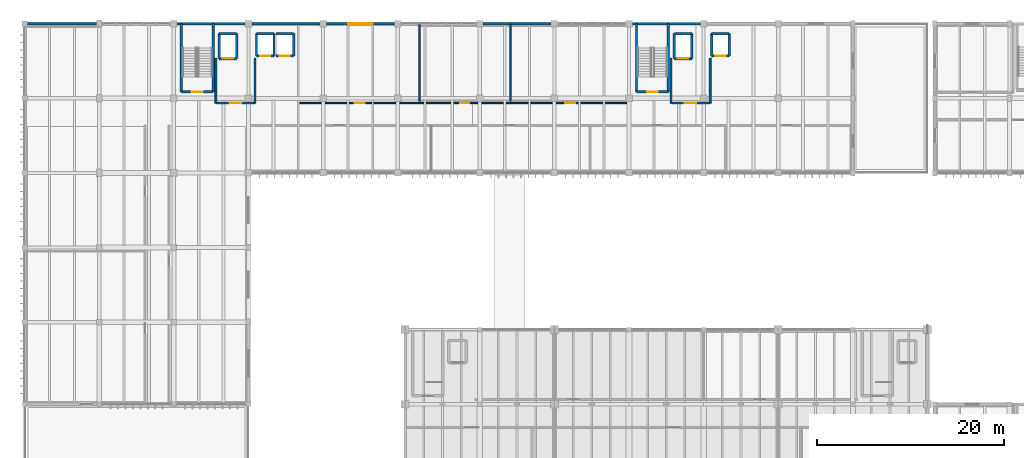
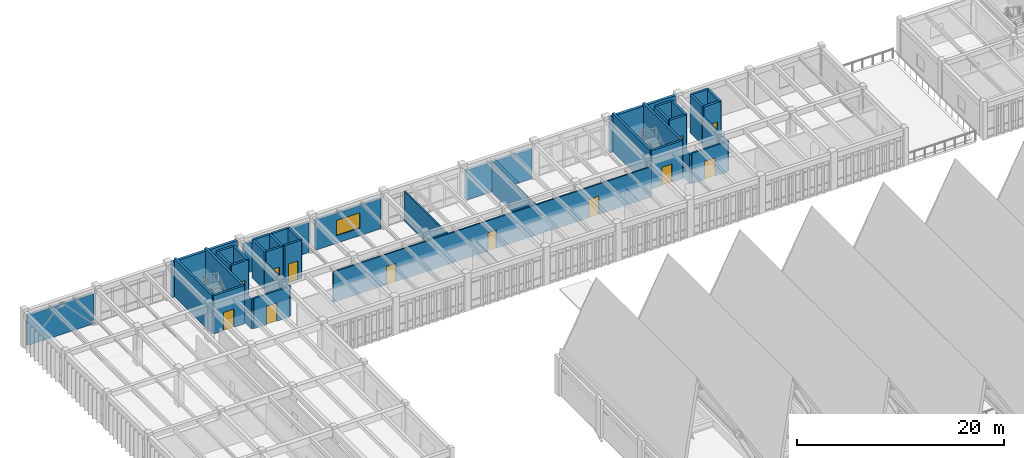
# One storey, part 54 of 72: 40 walls, 12 doors, 1 window, 13 openings.
"""IFC4 building model written with IfcOpenShell, lengths in metres."""

from ifc_helpers import new_model, si_unit, direction, frame, frame_2d, origin, place, context, subcontext, project, spatial, rectangle, extrude, material, layer, layer_set, type_object, element, fill, save


model = new_model("IFC4")

# Units and contexts
model_context = context("Model", 3, precision=1e-05, world=origin(), true_north=direction((0.0, 1.0)))
body_context = subcontext(model_context, "Body", "Model", "MODEL_VIEW")
ifc_project = project(units=[si_unit("LENGTHUNIT", "METRE"), si_unit("AREAUNIT", "SQUARE_METRE"), si_unit("VOLUMEUNIT", "CUBIC_METRE"), si_unit("PLANEANGLEUNIT", "RADIAN"), si_unit("MASSUNIT", "GRAM", prefix="KILO")], contexts=[model_context])

# Site, building, storey
site_placement = place(None, origin())
site = spatial("IfcSite", under=ifc_project, at=site_placement, CompositionType="ELEMENT")
building_placement = place(site_placement, origin())
building = spatial("IfcBuilding", under=site, at=building_placement, Name="Tlaxcora Railside Police Headquarters", CompositionType="ELEMENT")
storey_placement = place(building_placement, frame((0.0, 0.0, 13.5)))
storey = spatial("IfcBuildingStorey", under=building, at=storey_placement, Name="L03", CompositionType="ELEMENT", Elevation=13.5)

# Wall, opening, door
ifc_material_1 = material(Name="Pressed clay brick masonry", Category="masonry")
ifc_layer_1 = layer(ifc_material_1, 0.199951171875, Name="Pressed clay brick masonry")
ifc_layer_set_1 = layer_set([ifc_layer_1], Name="Pressed clay brick masonry")
wall_type_1 = type_object("IfcWallType", Name="Interior Partition Wall IW-60", PredefinedType="PARTITIONING", material=ifc_layer_set_1)
wall_1_placement = place(storey_placement, frame((25.800048828125, 84.300048828125, 0.0), z_axis=(0.0, 0.0, 1.0), x_axis=(1.0, 0.0, 0.0)))
wall_1 = element("IfcWall", 1, at=wall_1_placement, inside=storey, type_object=wall_type_1, Name="V5 L03 interior partition 165", PredefinedType="PARTITIONING", context=body_context, shape_type="SweptSolid", body=[
    extrude(rectangle(XDim=4.0, YDim=0.199951171875, at=frame_2d((2.0, 0.0))), origin(), (0.0, 0.0, 1.0), 3.574951171875),
])
opening_1_placement = place(wall_1_placement, frame((1.39990234375, 0.0, 0.0)))
opening_1 = element("IfcOpeningElement", 2, at=opening_1_placement, cuts=wall_1, Name="Opening D-L03-198", PredefinedType="OPENING", context=body_context, shape_type="SweptSolid", body=[
    extrude(rectangle(XDim=1.199951171875, YDim=2.14990234375, at=frame_2d((0.60009765625, 1.074951171875))), frame((0.0, 0.10986328125, 0.0), z_axis=(0.0, -1.0, 0.0), x_axis=(1.0, 0.0, 0.0)), (0.0, 0.0, 1.0), 0.219970703125),
])
ifc_material_2 = material(Name="Steel ASTM A992 Grade 50", Category="steel")
door_type_1 = type_object("IfcDoorType", Name="Swing or Sliding Personnel Door ID-14", OperationType="NOTDEFINED", PredefinedType="DOOR", material=ifc_material_2)
door_1_placement = place(opening_1_placement, origin())
door_1 = element("IfcDoor", 3, at=door_1_placement, inside=storey, type_object=door_type_1, Name="V5 L03 door D-L03-198", OperationType="DOUBLE_DOOR_SINGLE_SWING", OverallHeight=2.14990234375, OverallWidth=1.199951171875, PredefinedType="DOOR", context=body_context, shape_type="SweptSolid", body=[
    extrude(rectangle(XDim=1.199951171875, YDim=2.14990234375, at=frame_2d((0.60009765625, 1.074951171875))), frame((0.0, 0.02490234375, 0.0), z_axis=(0.0, -1.0, 0.0), x_axis=(1.0, 0.0, 0.0)), (0.0, 0.0, 1.0), 0.050048828125),
])
fill(opening_1, door_1)

# Walls
wall_2_placement = place(storey_placement, frame((25.699951171875, 84.300048828125, 0.0), z_axis=(0.0, 0.0, 1.0), x_axis=(0.0, 1.0, 0.0)))
element("IfcWall", 4, at=wall_2_placement, inside=storey, type_object=wall_type_1, Name="V5 L03 interior partition 166", PredefinedType="PARTITIONING", context=body_context, shape_type="SweptSolid", body=[
    extrude(rectangle(XDim=4.800048828125, YDim=0.199951171875, at=frame_2d((2.39990234375, 0.0))), origin(), (0.0, 0.0, 1.0), 3.425048828125),
])
wall_3_placement = place(storey_placement, frame((29.89990234375, 84.300048828125, 0.0), z_axis=(0.0, 0.0, 1.0), x_axis=(0.0, 1.0, 0.0)))
element("IfcWall", 5, at=wall_3_placement, inside=storey, type_object=wall_type_1, Name="V5 L03 interior partition 167", PredefinedType="PARTITIONING", context=body_context, shape_type="SweptSolid", body=[
    extrude(rectangle(XDim=4.800048828125, YDim=0.199951171875, at=frame_2d((2.39990234375, 0.0))), origin(), (0.0, 0.0, 1.0), 3.47509765625),
])

# Wall, opening, door
wall_4_placement = place(storey_placement, frame((74.60009765625, 84.300048828125, 0.0), z_axis=(0.0, 0.0, 1.0), x_axis=(1.0, 0.0, 0.0)))
wall_4 = element("IfcWall", 6, at=wall_4_placement, inside=storey, type_object=wall_type_1, Name="V5 L03 interior partition 168", PredefinedType="PARTITIONING", context=body_context, shape_type="SweptSolid", body=[
    extrude(rectangle(XDim=4.0, YDim=0.199951171875, at=frame_2d((2.0, 0.0))), origin(), (0.0, 0.0, 1.0), 3.574951171875),
])
opening_2_placement = place(wall_4_placement, frame((1.39990234375, 0.0, 0.0)))
opening_2 = element("IfcOpeningElement", 7, at=opening_2_placement, cuts=wall_4, Name="Opening D-L03-199", PredefinedType="OPENING", context=body_context, shape_type="SweptSolid", body=[
    extrude(rectangle(XDim=1.199951171875, YDim=2.14990234375, at=frame_2d((0.60009765625, 1.074951171875))), frame((0.0, 0.10986328125, 0.0), z_axis=(0.0, -1.0, 0.0), x_axis=(1.0, 0.0, 0.0)), (0.0, 0.0, 1.0), 0.219970703125),
])
door_2_placement = place(opening_2_placement, origin())
door_2 = element("IfcDoor", 8, at=door_2_placement, inside=storey, type_object=door_type_1, Name="V5 L03 door D-L03-199", OperationType="DOUBLE_DOOR_SINGLE_SWING", OverallHeight=2.14990234375, OverallWidth=1.199951171875, PredefinedType="DOOR", context=body_context, shape_type="SweptSolid", body=[
    extrude(rectangle(XDim=1.199951171875, YDim=2.14990234375, at=frame_2d((0.60009765625, 1.074951171875))), frame((0.0, 0.02490234375, 0.0), z_axis=(0.0, -1.0, 0.0), x_axis=(1.0, 0.0, 0.0)), (0.0, 0.0, 1.0), 0.050048828125),
])
fill(opening_2, door_2)

# Walls
wall_5_placement = place(storey_placement, frame((74.5, 84.300048828125, 0.0), z_axis=(0.0, 0.0, 1.0), x_axis=(0.0, 1.0, 0.0)))
element("IfcWall", 9, at=wall_5_placement, inside=storey, type_object=wall_type_1, Name="V5 L03 interior partition 169", PredefinedType="PARTITIONING", context=body_context, shape_type="SweptSolid", body=[
    extrude(rectangle(XDim=4.800048828125, YDim=0.199951171875, at=frame_2d((2.39990234375, 0.0))), origin(), (0.0, 0.0, 1.0), 3.425048828125),
])
wall_6_placement = place(storey_placement, frame((78.699951171875, 84.300048828125, 0.0), z_axis=(0.0, 0.0, 1.0), x_axis=(0.0, 1.0, 0.0)))
element("IfcWall", 10, at=wall_6_placement, inside=storey, type_object=wall_type_1, Name="V5 L03 interior partition 170", PredefinedType="PARTITIONING", context=body_context, shape_type="SweptSolid", body=[
    extrude(rectangle(XDim=4.800048828125, YDim=0.199951171875, at=frame_2d((2.39990234375, 0.0))), origin(), (0.0, 0.0, 1.0), 3.47509765625),
])
ifc_material_3 = material(Name="Gypsum acoustic partition board")
ifc_layer_2 = layer(ifc_material_3, 0.159912109375, Name="Gypsum acoustic partition board")
ifc_layer_set_2 = layer_set([ifc_layer_2], Name="Gypsum acoustic partition board")
wall_type_2 = type_object("IfcWallType", Name="Interior Partition Wall IW-73", PredefinedType="PARTITIONING", material=ifc_layer_set_2)
for number, where, z_axis, x_axis, name in (
    (11, (47.510986328125, 84.5, 0.0), (0.0, 0.0, 1.0), (0.0, 1.0, 0.0), "V5 L03 interior partition 193"),
    (12, (57.2890625, 84.5, 0.0), (0.0, 0.0, 1.0), (0.0, 1.0, 0.0), "V5 L03 interior partition 194"),
):
    element("IfcWall", number, at=place(storey_placement, frame(where, z_axis=z_axis, x_axis=x_axis)), inside=storey, type_object=wall_type_2, Name=name, PredefinedType="PARTITIONING", context=body_context, shape_type="SweptSolid", body=[
        extrude(rectangle(XDim=8.219970703125, YDim=0.159912109375, at=frame_2d((4.10986328125, 0.0))), origin(), (0.0, 0.0, 1.0), 3.52490234375),
    ])

# Wall, openings, doors
wall_7_placement = place(storey_placement, frame((34.699951171875, 84.300048828125, 0.0), z_axis=(0.0, 0.0, 1.0), x_axis=(1.0, 0.0, 0.0)))
wall_7 = element("IfcWall", 13, at=wall_7_placement, inside=storey, type_object=wall_type_2, Name="V5 L03 interior partition 195", PredefinedType="PARTITIONING", context=body_context, shape_type="SweptSolid", body=[
    extrude(rectangle(XDim=35.400146484375, YDim=0.159912109375, at=frame_2d((17.7001953125, 0.0))), origin(), (0.0, 0.0, 1.0), 3.574951171875),
])
opening_3_placement = place(wall_7_placement, frame((5.919921875, 0.0, 0.0)))
opening_3 = element("IfcOpeningElement", 14, at=opening_3_placement, cuts=wall_7, Name="Opening D-L03-222", PredefinedType="OPENING", context=body_context, shape_type="SweptSolid", body=[
    extrude(rectangle(XDim=1.02001953125, YDim=2.1201171875, at=frame_2d((0.510009765625, 1.06005859375))), frame((0.0, 0.08984375, 0.0), z_axis=(0.0, -1.0, 0.0), x_axis=(1.0, 0.0, 0.0)), (0.0, 0.0, 1.0), 0.179931640625),
])
opening_4_placement = place(wall_7_placement, frame((17.199951171875, 0.0, 0.0)))
opening_4 = element("IfcOpeningElement", 15, at=opening_4_placement, cuts=wall_7, Name="Opening D-L03-223", PredefinedType="OPENING", context=body_context, shape_type="SweptSolid", body=[
    extrude(rectangle(XDim=0.949951171875, YDim=2.14990234375, at=frame_2d((0.47509765625, 1.074951171875))), frame((0.0, 0.08984375, 0.0), z_axis=(0.0, -1.0, 0.0), x_axis=(1.0, 0.0, 0.0)), (0.0, 0.0, 1.0), 0.179931640625),
])
opening_5_placement = place(wall_7_placement, frame((28.47998046875, 0.0, 0.0)))
opening_5 = element("IfcOpeningElement", 16, at=opening_5_placement, cuts=wall_7, Name="Opening D-L03-224", PredefinedType="OPENING", context=body_context, shape_type="SweptSolid", body=[
    extrude(rectangle(XDim=1.080078125, YDim=2.139892578125, at=frame_2d((0.5400390625, 1.06982421875))), frame((0.0, 0.08984375, 0.0), z_axis=(0.0, -1.0, 0.0), x_axis=(1.0, 0.0, 0.0)), (0.0, 0.0, 1.0), 0.179931640625),
])
door_type_2 = type_object("IfcDoorType", Name="Swing or Sliding Personnel Door ID-20", OperationType="NOTDEFINED", PredefinedType="DOOR", material=ifc_material_2)
door_3_placement = place(opening_5_placement, origin())
door_3 = element("IfcDoor", 17, at=door_3_placement, inside=storey, type_object=door_type_2, Name="V5 L03 door D-L03-224", OperationType="SINGLE_SWING_RIGHT", OverallHeight=2.139892578125, OverallWidth=1.080078125, PredefinedType="DOOR", context=body_context, shape_type="SweptSolid", body=[
    extrude(rectangle(XDim=1.080078125, YDim=2.139892578125, at=frame_2d((0.5400390625, 1.06982421875))), frame((0.0, 0.02490234375, 0.0), z_axis=(0.0, -1.0, 0.0), x_axis=(1.0, 0.0, 0.0)), (0.0, 0.0, 1.0), 0.050048828125),
])
fill(opening_5, door_3)
door_type_3 = type_object("IfcDoorType", Name="Swing or Sliding Personnel Door ID-31", OperationType="NOTDEFINED", PredefinedType="DOOR", material=ifc_material_2)
door_4_placement = place(opening_4_placement, origin())
door_4 = element("IfcDoor", 18, at=door_4_placement, inside=storey, type_object=door_type_3, Name="V5 L03 door D-L03-223", OperationType="SINGLE_SWING_LEFT", OverallHeight=2.14990234375, OverallWidth=0.949951171875, PredefinedType="DOOR", context=body_context, shape_type="SweptSolid", body=[
    extrude(rectangle(XDim=0.949951171875, YDim=2.14990234375, at=frame_2d((0.47509765625, 1.074951171875))), frame((0.0, 0.02490234375, 0.0), z_axis=(0.0, -1.0, 0.0), x_axis=(1.0, 0.0, 0.0)), (0.0, 0.0, 1.0), 0.050048828125),
])
fill(opening_4, door_4)
door_type_4 = type_object("IfcDoorType", Name="Swing or Sliding Personnel Door ID-48", OperationType="NOTDEFINED", PredefinedType="DOOR", material=ifc_material_2)
door_5_placement = place(opening_3_placement, origin())
door_5 = element("IfcDoor", 19, at=door_5_placement, inside=storey, type_object=door_type_4, Name="V5 L03 door D-L03-222", OperationType="SINGLE_SWING_RIGHT", OverallHeight=2.1201171875, OverallWidth=1.02001953125, PredefinedType="DOOR", context=body_context, shape_type="SweptSolid", body=[
    extrude(rectangle(XDim=1.02001953125, YDim=2.1201171875, at=frame_2d((0.510009765625, 1.06005859375))), frame((0.0, 0.02490234375, 0.0), z_axis=(0.0, -1.0, 0.0), x_axis=(1.0, 0.0, 0.0)), (0.0, 0.0, 1.0), 0.050048828125),
])
fill(opening_3, door_5)

# Wall, opening, door
ifc_material_4 = material(Name="Concrete C40/50", Category="concrete")
ifc_layer_3 = layer(ifc_material_4, 0.25, Name="Concrete C40/50")
ifc_layer_set_3 = layer_set([ifc_layer_3], Name="Concrete C40/50")
wall_type_3 = type_object("IfcWallType", Name="Shear Core Wall IW-13", PredefinedType="SHEAR", material=ifc_layer_set_3)
wall_8_placement = place(storey_placement, frame((22.0, 85.5, 0.0), z_axis=(0.0, 0.0, 1.0), x_axis=(1.0, 0.0, 0.0)))
wall_8 = element("IfcWall", 20, at=wall_8_placement, inside=storey, type_object=wall_type_3, Name="CORE-C1 L03 stair core wall S", PredefinedType="SHEAR", context=body_context, shape_type="SweptSolid", body=[
    extrude(rectangle(XDim=3.419921875, YDim=0.25, at=frame_2d((1.7099609375, 0.0))), origin(), (0.0, 0.0, 1.0), 4.5),
])
opening_6_placement = place(wall_8_placement, frame((1.135009765625, 0.0, 0.0)))
opening_6 = element("IfcOpeningElement", 21, at=opening_6_placement, cuts=wall_8, Name="Opening SD-L03-005", PredefinedType="OPENING", context=body_context, shape_type="SweptSolid", body=[
    extrude(rectangle(XDim=1.14990234375, YDim=2.14990234375, at=frame_2d((0.574951171875, 1.074951171875))), frame((0.0, 0.135009765625, 0.0), z_axis=(0.0, -1.0, 0.0), x_axis=(1.0, 0.0, 0.0)), (0.0, 0.0, 1.0), 0.27001953125),
])
door_type_5 = type_object("IfcDoorType", Name="Swing or Sliding Personnel Door ID-73", OperationType="NOTDEFINED", PredefinedType="DOOR", material=ifc_material_2)
door_6_placement = place(opening_6_placement, origin())
door_6 = element("IfcDoor", 22, at=door_6_placement, inside=storey, type_object=door_type_5, Name="Stair ST1 L03 enclosure fire door", OperationType="SINGLE_SWING_LEFT", OverallHeight=2.14990234375, OverallWidth=1.14990234375, PredefinedType="DOOR", context=body_context, shape_type="SweptSolid", body=[
    extrude(rectangle(XDim=1.14990234375, YDim=2.14990234375, at=frame_2d((0.574951171875, 1.074951171875))), frame((0.0, 0.02490234375, 0.0), z_axis=(0.0, -1.0, 0.0), x_axis=(1.0, 0.0, 0.0)), (0.0, 0.0, 1.0), 0.050048828125),
])
fill(opening_6, door_6)

# Walls
for number, where, z_axis, x_axis, name in (
    (23, (25.419921875, 85.5, 0.0), (0.0, 0.0, 1.0), (0.0, 1.0, 0.0), "CORE-C1 L03 stair core wall E"),
    (24, (22.0, 92.800048828125, 0.0), (0.0, 0.0, 1.0), (0.0, -1.0, 0.0), "CORE-C1 L03 stair core wall W"),
):
    element("IfcWall", number, at=place(storey_placement, frame(where, z_axis=z_axis, x_axis=x_axis)), inside=storey, type_object=wall_type_3, Name=name, PredefinedType="SHEAR", context=body_context, shape_type="SweptSolid", body=[
        extrude(rectangle(XDim=7.300048828125, YDim=0.25, at=frame_2d((3.64990234375, 0.0))), origin(), (0.0, 0.0, 1.0), 4.5),
    ])

# Wall, opening, door
wall_9_placement = place(storey_placement, frame((26.06005859375, 89.06005859375, 0.0), z_axis=(0.0, 0.0, 1.0), x_axis=(1.0, 0.0, 0.0)))
wall_9 = element("IfcWall", 25, at=wall_9_placement, inside=storey, type_object=wall_type_3, Name="Lift FFL-01 L03 shaft wall S", PredefinedType="SHEAR", context=body_context, shape_type="SweptSolid", body=[
    extrude(rectangle(XDim=1.8798828125, YDim=0.25, at=frame_2d((0.93994140625, 0.0))), origin(), (0.0, 0.0, 1.0), 4.5),
])
opening_7_placement = place(wall_9_placement, frame((0.389892578125, 0.0, 0.0)))
opening_7 = element("IfcOpeningElement", 26, at=opening_7_placement, cuts=wall_9, Name="Opening LD-FFL-01-L03", PredefinedType="OPENING", context=body_context, shape_type="SweptSolid", body=[
    extrude(rectangle(XDim=1.10009765625, YDim=2.199951171875, at=frame_2d((0.550048828125, 1.10009765625))), frame((0.0, 0.135009765625, 0.0), z_axis=(0.0, -1.0, 0.0), x_axis=(1.0, 0.0, 0.0)), (0.0, 0.0, 1.0), 0.27001953125),
])
door_type_6 = type_object("IfcDoorType", Name="Swing or Sliding Personnel Door ID-15", OperationType="NOTDEFINED", PredefinedType="DOOR", material=ifc_material_2)
door_7_placement = place(opening_7_placement, origin())
door_7 = element("IfcDoor", 27, at=door_7_placement, inside=storey, type_object=door_type_6, Name="Lift FFL-01 L03 sliding landing door", OperationType="DOUBLE_DOOR_SLIDING", OverallHeight=2.199951171875, OverallWidth=1.10009765625, PredefinedType="DOOR", context=body_context, shape_type="SweptSolid", body=[
    extrude(rectangle(XDim=1.10009765625, YDim=2.199951171875, at=frame_2d((0.550048828125, 1.10009765625))), frame((0.0, 0.02490234375, 0.0), z_axis=(0.0, -1.0, 0.0), x_axis=(1.0, 0.0, 0.0)), (0.0, 0.0, 1.0), 0.050048828125),
])
fill(opening_7, door_7)

# Walls
wall_10_placement = place(storey_placement, frame((27.93994140625, 89.06005859375, 0.0), z_axis=(0.0, 0.0, 1.0), x_axis=(0.0, 1.0, 0.0)))
element("IfcWall", 28, at=wall_10_placement, inside=storey, type_object=wall_type_3, Name="Lift FFL-01 L03 shaft wall E", PredefinedType="SHEAR", context=body_context, shape_type="SweptSolid", body=[
    extrude(rectangle(XDim=2.679931640625, YDim=0.25, at=frame_2d((1.33984375, 0.0))), origin(), (0.0, 0.0, 1.0), 4.5),
])
wall_11_placement = place(storey_placement, frame((27.93994140625, 91.739990234375, 0.0), z_axis=(0.0, 0.0, 1.0), x_axis=(-1.0, 0.0, 0.0)))
element("IfcWall", 29, at=wall_11_placement, inside=storey, type_object=wall_type_3, Name="Lift FFL-01 L03 shaft wall N", PredefinedType="SHEAR", context=body_context, shape_type="SweptSolid", body=[
    extrude(rectangle(XDim=1.8798828125, YDim=0.25, at=frame_2d((0.93994140625, 0.0))), origin(), (0.0, 0.0, 1.0), 4.5),
])
wall_12_placement = place(storey_placement, frame((26.06005859375, 91.739990234375, 0.0), z_axis=(0.0, 0.0, 1.0), x_axis=(0.0, -1.0, 0.0)))
element("IfcWall", 30, at=wall_12_placement, inside=storey, type_object=wall_type_3, Name="Lift FFL-01 L03 shaft wall W", PredefinedType="SHEAR", context=body_context, shape_type="SweptSolid", body=[
    extrude(rectangle(XDim=2.679931640625, YDim=0.25, at=frame_2d((1.33984375, 0.0))), origin(), (0.0, 0.0, 1.0), 4.5),
])

# Wall, opening, door
wall_13_placement = place(storey_placement, frame((30.06005859375, 89.360107421875, 0.0), z_axis=(0.0, 0.0, 1.0), x_axis=(1.0, 0.0, 0.0)))
wall_13 = element("IfcWall", 31, at=wall_13_placement, inside=storey, type_object=wall_type_3, Name="Lift PL-01 L03 shaft wall S", PredefinedType="SHEAR", context=body_context, shape_type="SweptSolid", body=[
    extrude(rectangle(XDim=1.8798828125, YDim=0.25, at=frame_2d((0.93994140625, 0.0))), origin(), (0.0, 0.0, 1.0), 4.5),
])
opening_8_placement = place(wall_13_placement, frame((0.389892578125, 0.0, 0.0)))
opening_8 = element("IfcOpeningElement", 32, at=opening_8_placement, cuts=wall_13, Name="Opening LD-PL-01-L03", PredefinedType="OPENING", context=body_context, shape_type="SweptSolid", body=[
    extrude(rectangle(XDim=1.10009765625, YDim=2.199951171875, at=frame_2d((0.550048828125, 1.10009765625))), frame((0.0, 0.135009765625, 0.0), z_axis=(0.0, -1.0, 0.0), x_axis=(1.0, 0.0, 0.0)), (0.0, 0.0, 1.0), 0.27001953125),
])
door_8_placement = place(opening_8_placement, origin())
door_8 = element("IfcDoor", 33, at=door_8_placement, inside=storey, type_object=door_type_6, Name="Lift PL-01 L03 sliding landing door", OperationType="DOUBLE_DOOR_SLIDING", OverallHeight=2.199951171875, OverallWidth=1.10009765625, PredefinedType="DOOR", context=body_context, shape_type="SweptSolid", body=[
    extrude(rectangle(XDim=1.10009765625, YDim=2.199951171875, at=frame_2d((0.550048828125, 1.10009765625))), frame((0.0, 0.02490234375, 0.0), z_axis=(0.0, -1.0, 0.0), x_axis=(1.0, 0.0, 0.0)), (0.0, 0.0, 1.0), 0.050048828125),
])
fill(opening_8, door_8)

# Walls
wall_14_placement = place(storey_placement, frame((31.93994140625, 89.360107421875, 0.0), z_axis=(0.0, 0.0, 1.0), x_axis=(0.0, 1.0, 0.0)))
element("IfcWall", 34, at=wall_14_placement, inside=storey, type_object=wall_type_3, Name="Lift PL-01 L03 shaft wall E", PredefinedType="SHEAR", context=body_context, shape_type="SweptSolid", body=[
    extrude(rectangle(XDim=2.3798828125, YDim=0.25, at=frame_2d((1.18994140625, 0.0))), origin(), (0.0, 0.0, 1.0), 4.5),
])
wall_15_placement = place(storey_placement, frame((31.93994140625, 91.739990234375, 0.0), z_axis=(0.0, 0.0, 1.0), x_axis=(-1.0, 0.0, 0.0)))
element("IfcWall", 35, at=wall_15_placement, inside=storey, type_object=wall_type_3, Name="Lift PL-01 L03 shaft wall N", PredefinedType="SHEAR", context=body_context, shape_type="SweptSolid", body=[
    extrude(rectangle(XDim=1.8798828125, YDim=0.25, at=frame_2d((0.93994140625, 0.0))), origin(), (0.0, 0.0, 1.0), 4.5),
])
wall_16_placement = place(storey_placement, frame((30.06005859375, 91.739990234375, 0.0), z_axis=(0.0, 0.0, 1.0), x_axis=(0.0, -1.0, 0.0)))
element("IfcWall", 36, at=wall_16_placement, inside=storey, type_object=wall_type_3, Name="Lift PL-01 L03 shaft wall W", PredefinedType="SHEAR", context=body_context, shape_type="SweptSolid", body=[
    extrude(rectangle(XDim=2.3798828125, YDim=0.25, at=frame_2d((1.18994140625, 0.0))), origin(), (0.0, 0.0, 1.0), 4.5),
])

# Wall, opening, door
wall_17_placement = place(storey_placement, frame((32.159912109375, 89.360107421875, 0.0), z_axis=(0.0, 0.0, 1.0), x_axis=(1.0, 0.0, 0.0)))
wall_17 = element("IfcWall", 37, at=wall_17_placement, inside=storey, type_object=wall_type_3, Name="Lift PL-02 L03 shaft wall S", PredefinedType="SHEAR", context=body_context, shape_type="SweptSolid", body=[
    extrude(rectangle(XDim=1.880126953125, YDim=0.25, at=frame_2d((0.93994140625, 0.0))), origin(), (0.0, 0.0, 1.0), 4.5),
])
opening_9_placement = place(wall_17_placement, frame((0.389892578125, 0.0, 0.0)))
opening_9 = element("IfcOpeningElement", 38, at=opening_9_placement, cuts=wall_17, Name="Opening LD-PL-02-L03", PredefinedType="OPENING", context=body_context, shape_type="SweptSolid", body=[
    extrude(rectangle(XDim=1.10009765625, YDim=2.199951171875, at=frame_2d((0.550048828125, 1.10009765625))), frame((0.0, 0.135009765625, 0.0), z_axis=(0.0, -1.0, 0.0), x_axis=(1.0, 0.0, 0.0)), (0.0, 0.0, 1.0), 0.27001953125),
])
door_9_placement = place(opening_9_placement, origin())
door_9 = element("IfcDoor", 39, at=door_9_placement, inside=storey, type_object=door_type_6, Name="Lift PL-02 L03 sliding landing door", OperationType="DOUBLE_DOOR_SLIDING", OverallHeight=2.199951171875, OverallWidth=1.10009765625, PredefinedType="DOOR", context=body_context, shape_type="SweptSolid", body=[
    extrude(rectangle(XDim=1.10009765625, YDim=2.199951171875, at=frame_2d((0.550048828125, 1.10009765625))), frame((0.0, 0.02490234375, 0.0), z_axis=(0.0, -1.0, 0.0), x_axis=(1.0, 0.0, 0.0)), (0.0, 0.0, 1.0), 0.050048828125),
])
fill(opening_9, door_9)

# Walls
wall_18_placement = place(storey_placement, frame((34.0400390625, 89.360107421875, 0.0), z_axis=(0.0, 0.0, 1.0), x_axis=(0.0, 1.0, 0.0)))
element("IfcWall", 40, at=wall_18_placement, inside=storey, type_object=wall_type_3, Name="Lift PL-02 L03 shaft wall E", PredefinedType="SHEAR", context=body_context, shape_type="SweptSolid", body=[
    extrude(rectangle(XDim=2.3798828125, YDim=0.25, at=frame_2d((1.18994140625, 0.0))), origin(), (0.0, 0.0, 1.0), 4.5),
])
wall_19_placement = place(storey_placement, frame((34.0400390625, 91.739990234375, 0.0), z_axis=(0.0, 0.0, 1.0), x_axis=(-1.0, 0.0, 0.0)))
element("IfcWall", 41, at=wall_19_placement, inside=storey, type_object=wall_type_3, Name="Lift PL-02 L03 shaft wall N", PredefinedType="SHEAR", context=body_context, shape_type="SweptSolid", body=[
    extrude(rectangle(XDim=1.880126953125, YDim=0.25, at=frame_2d((0.93994140625, 0.0))), origin(), (0.0, 0.0, 1.0), 4.5),
])

# Wall, opening, door
wall_20_placement = place(storey_placement, frame((70.800048828125, 85.5, 0.0), z_axis=(0.0, 0.0, 1.0), x_axis=(1.0, 0.0, 0.0)))
wall_20 = element("IfcWall", 42, at=wall_20_placement, inside=storey, type_object=wall_type_3, Name="CORE-C2 L03 stair core wall S", PredefinedType="SHEAR", context=body_context, shape_type="SweptSolid", body=[
    extrude(rectangle(XDim=3.419921875, YDim=0.25, at=frame_2d((1.7099609375, 0.0))), origin(), (0.0, 0.0, 1.0), 4.5),
])
opening_10_placement = place(wall_20_placement, frame((1.135009765625, 0.0, 0.0)))
opening_10 = element("IfcOpeningElement", 43, at=opening_10_placement, cuts=wall_20, Name="Opening SD-L03-014", PredefinedType="OPENING", context=body_context, shape_type="SweptSolid", body=[
    extrude(rectangle(XDim=1.14990234375, YDim=2.14990234375, at=frame_2d((0.574951171875, 1.074951171875))), frame((0.0, 0.135009765625, 0.0), z_axis=(0.0, -1.0, 0.0), x_axis=(1.0, 0.0, 0.0)), (0.0, 0.0, 1.0), 0.27001953125),
])
door_10_placement = place(opening_10_placement, origin())
door_10 = element("IfcDoor", 44, at=door_10_placement, inside=storey, type_object=door_type_5, Name="Stair ST2 L03 enclosure fire door", OperationType="SINGLE_SWING_RIGHT", OverallHeight=2.14990234375, OverallWidth=1.14990234375, PredefinedType="DOOR", context=body_context, shape_type="SweptSolid", body=[
    extrude(rectangle(XDim=1.14990234375, YDim=2.14990234375, at=frame_2d((0.574951171875, 1.074951171875))), frame((0.0, 0.02490234375, 0.0), z_axis=(0.0, -1.0, 0.0), x_axis=(1.0, 0.0, 0.0)), (0.0, 0.0, 1.0), 0.050048828125),
])
fill(opening_10, door_10)

# Walls
for number, where, z_axis, x_axis, name in (
    (45, (74.219970703125, 85.5, 0.0), (0.0, 0.0, 1.0), (0.0, 1.0, 0.0), "CORE-C2 L03 stair core wall E"),
    (46, (70.800048828125, 92.800048828125, 0.0), (0.0, 0.0, 1.0), (0.0, -1.0, 0.0), "CORE-C2 L03 stair core wall W"),
):
    element("IfcWall", number, at=place(storey_placement, frame(where, z_axis=z_axis, x_axis=x_axis)), inside=storey, type_object=wall_type_3, Name=name, PredefinedType="SHEAR", context=body_context, shape_type="SweptSolid", body=[
        extrude(rectangle(XDim=7.300048828125, YDim=0.25, at=frame_2d((3.64990234375, 0.0))), origin(), (0.0, 0.0, 1.0), 4.5),
    ])

# Wall, opening, door
wall_21_placement = place(storey_placement, frame((74.860107421875, 89.06005859375, 0.0), z_axis=(0.0, 0.0, 1.0), x_axis=(1.0, 0.0, 0.0)))
wall_21 = element("IfcWall", 47, at=wall_21_placement, inside=storey, type_object=wall_type_3, Name="Lift FFL-02 L03 shaft wall S", PredefinedType="SHEAR", context=body_context, shape_type="SweptSolid", body=[
    extrude(rectangle(XDim=1.8798828125, YDim=0.25, at=frame_2d((0.93994140625, 0.0))), origin(), (0.0, 0.0, 1.0), 4.5),
])
opening_11_placement = place(wall_21_placement, frame((0.389892578125, 0.0, 0.0)))
opening_11 = element("IfcOpeningElement", 48, at=opening_11_placement, cuts=wall_21, Name="Opening LD-FFL-02-L03", PredefinedType="OPENING", context=body_context, shape_type="SweptSolid", body=[
    extrude(rectangle(XDim=1.10009765625, YDim=2.199951171875, at=frame_2d((0.550048828125, 1.10009765625))), frame((0.0, 0.135009765625, 0.0), z_axis=(0.0, -1.0, 0.0), x_axis=(1.0, 0.0, 0.0)), (0.0, 0.0, 1.0), 0.27001953125),
])
door_11_placement = place(opening_11_placement, origin())
door_11 = element("IfcDoor", 49, at=door_11_placement, inside=storey, type_object=door_type_6, Name="Lift FFL-02 L03 sliding landing door", OperationType="DOUBLE_DOOR_SLIDING", OverallHeight=2.199951171875, OverallWidth=1.10009765625, PredefinedType="DOOR", context=body_context, shape_type="SweptSolid", body=[
    extrude(rectangle(XDim=1.10009765625, YDim=2.199951171875, at=frame_2d((0.550048828125, 1.10009765625))), frame((0.0, 0.02490234375, 0.0), z_axis=(0.0, -1.0, 0.0), x_axis=(1.0, 0.0, 0.0)), (0.0, 0.0, 1.0), 0.050048828125),
])
fill(opening_11, door_11)

# Walls
wall_22_placement = place(storey_placement, frame((76.739990234375, 89.06005859375, 0.0), z_axis=(0.0, 0.0, 1.0), x_axis=(0.0, 1.0, 0.0)))
element("IfcWall", 50, at=wall_22_placement, inside=storey, type_object=wall_type_3, Name="Lift FFL-02 L03 shaft wall E", PredefinedType="SHEAR", context=body_context, shape_type="SweptSolid", body=[
    extrude(rectangle(XDim=2.679931640625, YDim=0.25, at=frame_2d((1.33984375, 0.0))), origin(), (0.0, 0.0, 1.0), 4.5),
])
wall_23_placement = place(storey_placement, frame((76.739990234375, 91.739990234375, 0.0), z_axis=(0.0, 0.0, 1.0), x_axis=(-1.0, 0.0, 0.0)))
element("IfcWall", 51, at=wall_23_placement, inside=storey, type_object=wall_type_3, Name="Lift FFL-02 L03 shaft wall N", PredefinedType="SHEAR", context=body_context, shape_type="SweptSolid", body=[
    extrude(rectangle(XDim=1.8798828125, YDim=0.25, at=frame_2d((0.93994140625, 0.0))), origin(), (0.0, 0.0, 1.0), 4.5),
])
wall_24_placement = place(storey_placement, frame((74.860107421875, 91.739990234375, 0.0), z_axis=(0.0, 0.0, 1.0), x_axis=(0.0, -1.0, 0.0)))
element("IfcWall", 52, at=wall_24_placement, inside=storey, type_object=wall_type_3, Name="Lift FFL-02 L03 shaft wall W", PredefinedType="SHEAR", context=body_context, shape_type="SweptSolid", body=[
    extrude(rectangle(XDim=2.679931640625, YDim=0.25, at=frame_2d((1.33984375, 0.0))), origin(), (0.0, 0.0, 1.0), 4.5),
])

# Wall, opening, door
wall_25_placement = place(storey_placement, frame((78.860107421875, 89.360107421875, 0.0), z_axis=(0.0, 0.0, 1.0), x_axis=(1.0, 0.0, 0.0)))
wall_25 = element("IfcWall", 53, at=wall_25_placement, inside=storey, type_object=wall_type_3, Name="Lift PL-03 L03 shaft wall S", PredefinedType="SHEAR", context=body_context, shape_type="SweptSolid", body=[
    extrude(rectangle(XDim=1.8798828125, YDim=0.25, at=frame_2d((0.93994140625, 0.0))), origin(), (0.0, 0.0, 1.0), 4.5),
])
opening_12_placement = place(wall_25_placement, frame((0.389892578125, 0.0, 0.0)))
opening_12 = element("IfcOpeningElement", 54, at=opening_12_placement, cuts=wall_25, Name="Opening LD-PL-03-L03", PredefinedType="OPENING", context=body_context, shape_type="SweptSolid", body=[
    extrude(rectangle(XDim=1.10009765625, YDim=2.199951171875, at=frame_2d((0.550048828125, 1.10009765625))), frame((0.0, 0.135009765625, 0.0), z_axis=(0.0, -1.0, 0.0), x_axis=(1.0, 0.0, 0.0)), (0.0, 0.0, 1.0), 0.27001953125),
])
door_12_placement = place(opening_12_placement, origin())
door_12 = element("IfcDoor", 55, at=door_12_placement, inside=storey, type_object=door_type_6, Name="Lift PL-03 L03 sliding landing door", OperationType="DOUBLE_DOOR_SLIDING", OverallHeight=2.199951171875, OverallWidth=1.10009765625, PredefinedType="DOOR", context=body_context, shape_type="SweptSolid", body=[
    extrude(rectangle(XDim=1.10009765625, YDim=2.199951171875, at=frame_2d((0.550048828125, 1.10009765625))), frame((0.0, 0.02490234375, 0.0), z_axis=(0.0, -1.0, 0.0), x_axis=(1.0, 0.0, 0.0)), (0.0, 0.0, 1.0), 0.050048828125),
])
fill(opening_12, door_12)

# Walls
wall_26_placement = place(storey_placement, frame((80.739990234375, 89.360107421875, 0.0), z_axis=(0.0, 0.0, 1.0), x_axis=(0.0, 1.0, 0.0)))
element("IfcWall", 56, at=wall_26_placement, inside=storey, type_object=wall_type_3, Name="Lift PL-03 L03 shaft wall E", PredefinedType="SHEAR", context=body_context, shape_type="SweptSolid", body=[
    extrude(rectangle(XDim=2.3798828125, YDim=0.25, at=frame_2d((1.18994140625, 0.0))), origin(), (0.0, 0.0, 1.0), 4.5),
])
wall_27_placement = place(storey_placement, frame((80.739990234375, 91.739990234375, 0.0), z_axis=(0.0, 0.0, 1.0), x_axis=(-1.0, 0.0, 0.0)))
element("IfcWall", 57, at=wall_27_placement, inside=storey, type_object=wall_type_3, Name="Lift PL-03 L03 shaft wall N", PredefinedType="SHEAR", context=body_context, shape_type="SweptSolid", body=[
    extrude(rectangle(XDim=1.8798828125, YDim=0.25, at=frame_2d((0.93994140625, 0.0))), origin(), (0.0, 0.0, 1.0), 4.5),
])
wall_28_placement = place(storey_placement, frame((78.860107421875, 91.739990234375, 0.0), z_axis=(0.0, 0.0, 1.0), x_axis=(0.0, -1.0, 0.0)))
element("IfcWall", 58, at=wall_28_placement, inside=storey, type_object=wall_type_3, Name="Lift PL-03 L03 shaft wall W", PredefinedType="SHEAR", context=body_context, shape_type="SweptSolid", body=[
    extrude(rectangle(XDim=2.3798828125, YDim=0.25, at=frame_2d((1.18994140625, 0.0))), origin(), (0.0, 0.0, 1.0), 4.5),
])
ifc_layer_4 = layer(ifc_material_1, 0.294921875, Name="Pressed clay brick masonry")
ifc_layer_set_4 = layer_set([ifc_layer_4], Name="Pressed clay brick masonry")
wall_type_4 = type_object("IfcWallType", Name="Structural Bearing Wall EW-74", PredefinedType="SOLIDWALL", material=ifc_layer_set_4)
wall_29_placement = place(storey_placement, frame((77.64990234375, 92.800048828125, 0.0), z_axis=(0.0, 0.0, 1.0), x_axis=(-1.0, 0.0, 0.0)))
element("IfcWall", 59, at=wall_29_placement, inside=storey, type_object=wall_type_4, Name="V5 L03 exterior wall 4.2", PredefinedType="SOLIDWALL", context=body_context, shape_type="SweptSolid", body=[
    extrude(rectangle(XDim=7.2998046875, YDim=0.294921875, at=frame_2d((3.64990234375, 0.0))), origin(), (0.0, 0.0, 1.0), 4.18994140625),
])
wall_30_placement = place(storey_placement, frame((61.64990234375, 92.800048828125, 0.0), z_axis=(0.0, 0.0, 1.0), x_axis=(-1.0, 0.0, 0.0)))
element("IfcWall", 60, at=wall_30_placement, inside=storey, type_object=wall_type_4, Name="V5 L03 exterior wall 4.4", PredefinedType="SOLIDWALL", context=body_context, shape_type="SweptSolid", body=[
    extrude(rectangle(XDim=7.2998046875, YDim=0.294921875, at=frame_2d((3.64990234375, 0.0))), origin(), (0.0, 0.0, 1.0), 3.5400390625),
])

# Wall, opening, window
wall_31_placement = place(storey_placement, frame((44.85009765625, 92.800048828125, 0.0), z_axis=(0.0, 0.0, 1.0), x_axis=(-1.0, 0.0, 0.0)))
wall_31 = element("IfcWall", 61, at=wall_31_placement, inside=storey, type_object=wall_type_4, Name="V5 L03 exterior wall 4.6", PredefinedType="SOLIDWALL", context=body_context, shape_type="SweptSolid", body=[
    extrude(rectangle(XDim=7.300048828125, YDim=0.294921875, at=frame_2d((3.64990234375, 0.0))), origin(), (0.0, 0.0, 1.0), 3.5400390625),
])
opening_13_placement = place(wall_31_placement, frame((2.35009765625, 0.0, 0.89990234375)))
opening_13 = element("IfcOpeningElement", 62, at=opening_13_placement, cuts=wall_31, Name="Opening WN-71", PredefinedType="OPENING", context=body_context, shape_type="SweptSolid", body=[
    extrude(rectangle(XDim=2.60009765625, YDim=1.800048828125, at=frame_2d((1.300048828125, 0.89990234375))), frame((0.0, 0.157470703125, 0.0), z_axis=(0.0, -1.0, 0.0), x_axis=(1.0, 0.0, 0.0)), (0.0, 0.0, 1.0), 0.31494140625),
])
ifc_material_5 = material(Name="Thermally broken low-E insulated glazing", Category="glass")
window_type = type_object("IfcWindowType", Name="Exterior Framed or Circular Window WN-71", PartitioningType="SINGLE_PANEL", PredefinedType="WINDOW", material=ifc_material_5)
window_placement = place(opening_13_placement, origin())
window = element("IfcWindow", 63, at=window_placement, inside=storey, type_object=window_type, Name="V5 L03 window 137", OverallHeight=1.800048828125, OverallWidth=2.60009765625, PartitioningType="SINGLE_PANEL", PredefinedType="WINDOW", context=body_context, shape_type="SweptSolid", body=[
    extrude(rectangle(XDim=2.60009765625, YDim=1.800048828125, at=frame_2d((1.300048828125, 0.89990234375))), frame((0.0, 0.030029296875, 0.0), z_axis=(0.0, -1.0, 0.0), x_axis=(1.0, 0.0, 0.0)), (0.0, 0.0, 1.0), 0.06005859375),
])
fill(opening_13, window)

# Walls
wall_32_placement = place(storey_placement, frame((36.85009765625, 92.800048828125, 0.0), z_axis=(0.0, 0.0, 1.0), x_axis=(-1.0, 0.0, 0.0)))
element("IfcWall", 64, at=wall_32_placement, inside=storey, type_object=wall_type_4, Name="V5 L03 exterior wall 4.7", PredefinedType="SOLIDWALL", context=body_context, shape_type="SweptSolid", body=[
    extrude(rectangle(XDim=7.300048828125, YDim=0.294921875, at=frame_2d((3.64990234375, 0.0))), origin(), (0.0, 0.0, 1.0), 3.5400390625),
])
wall_33_placement = place(storey_placement, frame((28.85009765625, 92.800048828125, 0.0), z_axis=(0.0, 0.0, 1.0), x_axis=(-1.0, 0.0, 0.0)))
element("IfcWall", 65, at=wall_33_placement, inside=storey, type_object=wall_type_4, Name="V5 L03 exterior wall 4.8", PredefinedType="SOLIDWALL", context=body_context, shape_type="SweptSolid", body=[
    extrude(rectangle(XDim=7.300048828125, YDim=0.294921875, at=frame_2d((3.64990234375, 0.0))), origin(), (0.0, 0.0, 1.0), 4.18994140625),
])
wall_34_placement = place(storey_placement, frame((12.89990234375, 92.800048828125, 0.0), z_axis=(0.0, 0.0, 1.0), x_axis=(-1.0, 0.0, 0.0)))
element("IfcWall", 66, at=wall_34_placement, inside=storey, type_object=wall_type_4, Name="V5 L03 exterior wall 4.10", PredefinedType="SOLIDWALL", context=body_context, shape_type="SweptSolid", body=[
    extrude(rectangle(XDim=7.39990234375, YDim=0.294921875, at=frame_2d((3.699951171875, 0.0))), origin(), (0.0, 0.0, 1.0), 3.5400390625),
])

save(model, "model.ifc")
